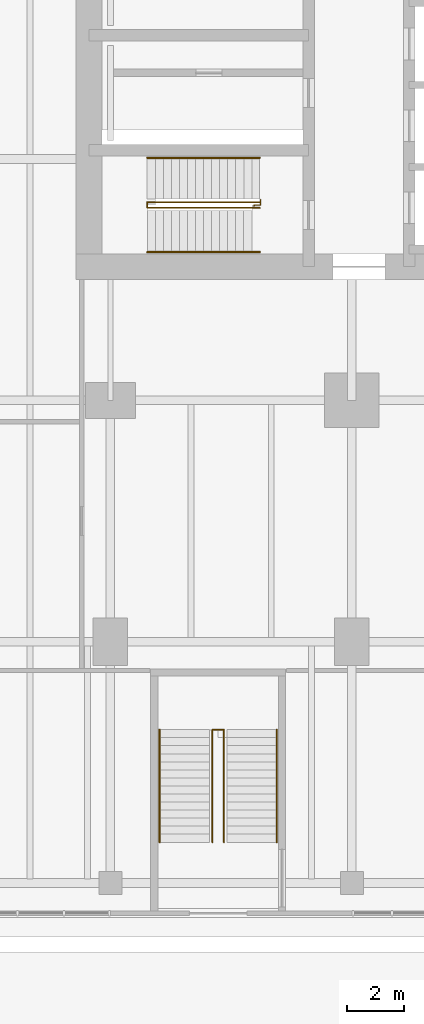
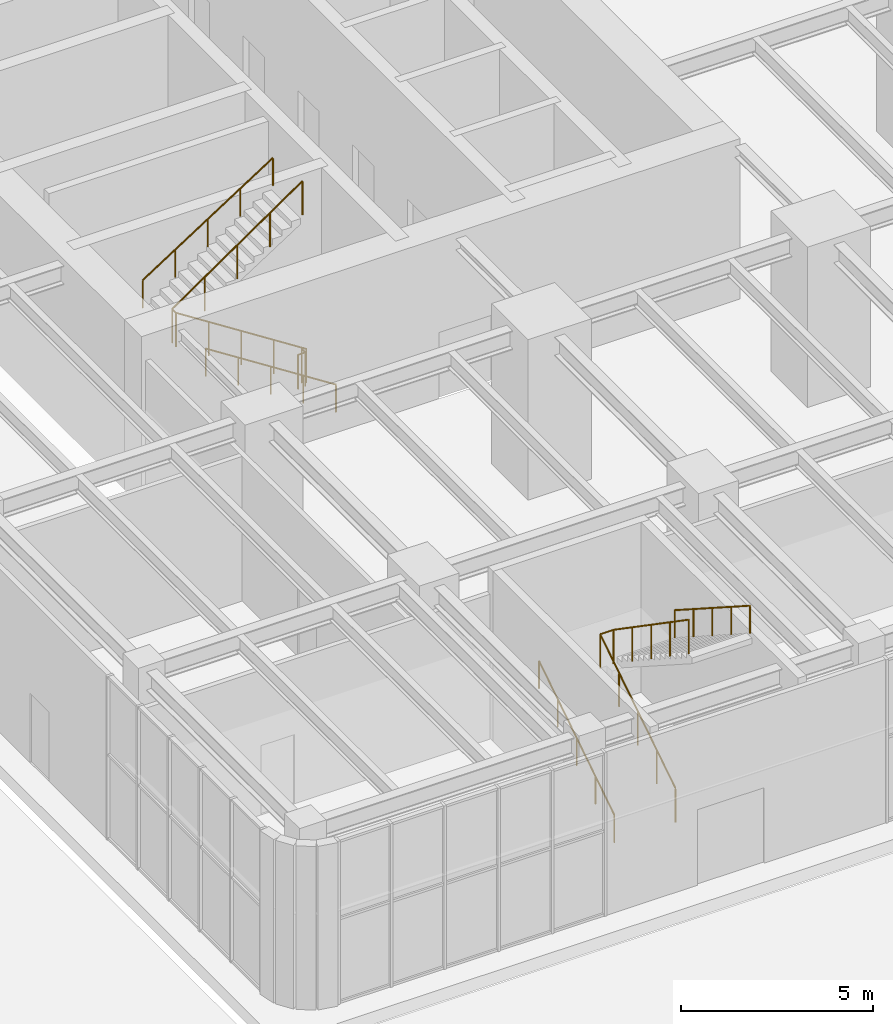
# One storey, part 24 of 31: 7 railings.
"""IFC4 building model written with IfcOpenShell, lengths in metres."""

from ifc_helpers import new_model, si_unit, direction, frame, origin, origin_2d, place, context, subcontext, project, spatial, circle, extrude, material, type_object, element, save


model = new_model("IFC4")

# Units and contexts
model_context = context("Model", 3, precision=1e-05, world=origin(), true_north=direction((0.0, 1.0)))
body_context = subcontext(model_context, "Body", "Model", "MODEL_VIEW")
ifc_project = project(units=[si_unit("LENGTHUNIT", "METRE"), si_unit("AREAUNIT", "SQUARE_METRE"), si_unit("VOLUMEUNIT", "CUBIC_METRE"), si_unit("PLANEANGLEUNIT", "RADIAN"), si_unit("MASSUNIT", "GRAM", prefix="KILO")], contexts=[model_context])

# Site, building, storey
site_placement = place(None, origin())
site = spatial("IfcSite", under=ifc_project, at=site_placement, CompositionType="ELEMENT")
building_placement = place(site_placement, origin())
building = spatial("IfcBuilding", under=site, at=building_placement, Name="Claustro Exchange Tower", CompositionType="ELEMENT")
storey_placement = place(building_placement, origin())
storey = spatial("IfcBuildingStorey", under=building, at=storey_placement, Name="L00", CompositionType="ELEMENT", Elevation=0.0)

# Railings
ifc_material_1 = material(Name="Steel balustrade, painted", Category="steel")
railing_type_1 = type_object("IfcRailingType", Name="GR2 1100 steel stair guard", PredefinedType="GUARDRAIL", material=ifc_material_1)
railing_1_placement = place(storey_placement, frame((5.199951171875, 15.10009765625, 0.179931640625)))
element("IfcRailing", 1, at=railing_1_placement, inside=storey, type_object=railing_type_1, Name="Stair well guard GR2 stair STWA L00", PredefinedType="GUARDRAIL", context=body_context, shape_type="SweptSolid", body=[
    extrude(circle(Radius=0.02392578125, at=origin_2d()), frame((0.0, 0.0, 1.076171875), z_axis=(-0.841171666519, 0.0, 0.540768182723), x_axis=(0.0, -1.0, 0.0)), (0.0, 0.0, 1.0), 4.66015625),
    extrude(circle(Radius=0.02392578125, at=origin_2d()), frame((-3.919921875, 0.0, 3.59619140625), z_axis=(0.0, 1.0, 0.0), x_axis=(-1.0, 0.0, 0.0)), (0.0, 0.0, 1.0), 0.199951171875),
    extrude(circle(Radius=0.02392578125, at=origin_2d()), frame((-3.919921875, 0.199951171875, 3.59619140625), z_axis=(0.823550731654, 0.0, 0.567242622158), x_axis=(0.0, 1.0, 0.0)), (0.0, 0.0, 1.0), 4.759765625),
    extrude(circle(Radius=0.02099609375, at=origin_2d()), origin(), (0.0, 0.0, 1.0), 1.052001953125),
    extrude(circle(Radius=0.02099609375, at=origin_2d()), frame((-0.97998046875, 0.0, 0.6298828125)), (0.0, 0.0, 1.0), 1.052001953125),
    extrude(circle(Radius=0.02099609375, at=origin_2d()), frame((-1.9599609375, 0.0, 1.260009765625)), (0.0, 0.0, 1.0), 1.052001953125),
    extrude(circle(Radius=0.02099609375, at=origin_2d()), frame((-2.93994140625, 0.0, 1.89013671875)), (0.0, 0.0, 1.0), 1.052001953125),
    extrude(circle(Radius=0.02099609375, at=origin_2d()), frame((-3.919921875, 0.0, 2.52001953125)), (0.0, 0.0, 1.0), 1.052001953125),
    extrude(circle(Radius=0.02099609375, at=origin_2d()), frame((-3.919921875, 0.199951171875, 2.52001953125)), (0.0, 0.0, 1.0), 1.052001953125),
    extrude(circle(Radius=0.02099609375, at=origin_2d()), frame((-2.93994140625, 0.199951171875, 3.195068359375)), (0.0, 0.0, 1.0), 1.052001953125),
    extrude(circle(Radius=0.02099609375, at=origin_2d()), frame((-1.9599609375, 0.199951171875, 3.8701171875)), (0.0, 0.0, 1.0), 1.052001953125),
    extrude(circle(Radius=0.02099609375, at=origin_2d()), frame((-0.97998046875, 0.199951171875, 4.544921875)), (0.0, 0.0, 1.0), 1.052001953125),
    extrude(circle(Radius=0.02099609375, at=origin_2d()), frame((0.0, 0.199951171875, 5.219970703125)), (0.0, 0.0, 1.0), 1.052001953125),
])
railing_2_placement = place(storey_placement, frame((5.0, 15.169921875, 0.0)))
element("IfcRailing", 2, at=railing_2_placement, inside=storey, type_object=railing_type_1, Name="Stair guard GR2 STWA L00", PredefinedType="GUARDRAIL", context=body_context, shape_type="SweptSolid", body=[
    extrude(circle(Radius=0.02392578125, at=origin_2d()), frame((0.0, 0.0, 1.076171875), z_axis=(0.0, 1.0, 0.0), x_axis=(-1.0, 0.0, 0.0)), (0.0, 0.0, 1.0), 0.030029296875),
    extrude(circle(Radius=0.02392578125, at=origin_2d()), frame((0.0, 0.030029296875, 1.076171875), z_axis=(1.0, 0.0, 0.0), x_axis=(0.0, 1.0, 0.0)), (0.0, 0.0, 1.0), 0.22509765625),
    extrude(circle(Radius=0.02392578125, at=origin_2d()), frame((0.22509765625, 0.030029296875, 1.076171875), z_axis=(0.0, 1.0, 0.0), x_axis=(-1.0, 0.0, 0.0)), (0.0, 0.0, 1.0), 0.179931640625),
    extrude(circle(Radius=0.02099609375, at=origin_2d()), origin(), (0.0, 0.0, 1.0), 1.052001953125),
    extrude(circle(Radius=0.02099609375, at=origin_2d()), frame((0.0, 0.030029296875, 0.0)), (0.0, 0.0, 1.0), 1.052001953125),
    extrude(circle(Radius=0.02099609375, at=origin_2d()), frame((0.22509765625, 0.030029296875, 0.0)), (0.0, 0.0, 1.0), 1.052001953125),
    extrude(circle(Radius=0.02099609375, at=origin_2d()), frame((0.22509765625, 0.2099609375, 0.0)), (0.0, 0.0, 1.0), 1.052001953125),
])
railing_3_placement = place(storey_placement, frame((3.550048828125, -6.97998046875, 0.179931640625)))
element("IfcRailing", 3, at=railing_3_placement, inside=storey, type_object=railing_type_1, Name="Stair well guard GR2 stair STP1 L00", PredefinedType="GUARDRAIL", context=body_context, shape_type="SweptSolid", body=[
    extrude(circle(Radius=0.02392578125, at=origin_2d()), frame((0.0, 0.0, 1.076171875), z_axis=(0.0, 0.841171666519, 0.540768182723), x_axis=(-1.0, 0.0, 0.0)), (0.0, 0.0, 1.0), 4.66015625),
    extrude(circle(Radius=0.02392578125, at=origin_2d()), frame((0.0, 3.919921875, 3.59619140625), z_axis=(1.0, 0.0, 0.0), x_axis=(0.0, 1.0, 0.0)), (0.0, 0.0, 1.0), 0.39990234375),
    extrude(circle(Radius=0.02392578125, at=origin_2d()), frame((0.39990234375, 3.919921875, 3.59619140625), z_axis=(0.0, -0.823550731654, 0.567242622158), x_axis=(1.0, 0.0, 0.0)), (0.0, 0.0, 1.0), 4.759765625),
    extrude(circle(Radius=0.02099609375, at=origin_2d()), origin(), (0.0, 0.0, 1.0), 1.052001953125),
    extrude(circle(Radius=0.02099609375, at=origin_2d()), frame((0.0, 0.97998046875, 0.6298828125)), (0.0, 0.0, 1.0), 1.052001953125),
    extrude(circle(Radius=0.02099609375, at=origin_2d()), frame((0.0, 1.9599609375, 1.260009765625)), (0.0, 0.0, 1.0), 1.052001953125),
    extrude(circle(Radius=0.02099609375, at=origin_2d()), frame((0.0, 2.93994140625, 1.89013671875)), (0.0, 0.0, 1.0), 1.052001953125),
    extrude(circle(Radius=0.02099609375, at=origin_2d()), frame((0.0, 3.919921875, 2.52001953125)), (0.0, 0.0, 1.0), 1.052001953125),
    extrude(circle(Radius=0.02099609375, at=origin_2d()), frame((0.39990234375, 3.919921875, 2.52001953125)), (0.0, 0.0, 1.0), 1.052001953125),
    extrude(circle(Radius=0.02099609375, at=origin_2d()), frame((0.39990234375, 2.93994140625, 3.195068359375)), (0.0, 0.0, 1.0), 1.052001953125),
    extrude(circle(Radius=0.02099609375, at=origin_2d()), frame((0.39990234375, 1.9599609375, 3.8701171875)), (0.0, 0.0, 1.0), 1.052001953125),
    extrude(circle(Radius=0.02099609375, at=origin_2d()), frame((0.39990234375, 0.97998046875, 4.544921875)), (0.0, 0.0, 1.0), 1.052001953125),
    extrude(circle(Radius=0.02099609375, at=origin_2d()), frame((0.39990234375, 0.0, 5.219970703125)), (0.0, 0.0, 1.0), 1.052001953125),
])
ifc_material_2 = material(Name="Stainless steel tube", Category="steel")
railing_type_2 = type_object("IfcRailingType", Name="HR1 900 stair handrail", PredefinedType="HANDRAIL", material=ifc_material_2)
railing_4_placement = place(storey_placement, frame((5.199951171875, 13.56005859375, 0.179931640625)))
element("IfcRailing", 4, at=railing_4_placement, inside=storey, type_object=railing_type_2, Name="Handrail HR1 stair STWA L00", PredefinedType="HANDRAIL", context=body_context, shape_type="SweptSolid", body=[
    extrude(circle(Radius=0.02392578125, at=origin_2d()), frame((0.0, 0.0, 0.8759765625), z_axis=(-0.841171666519, 0.0, 0.540768182723), x_axis=(0.0, -1.0, 0.0)), (0.0, 0.0, 1.0), 4.66015625),
    extrude(circle(Radius=0.02099609375, at=origin_2d()), origin(), (0.0, 0.0, 1.0), 0.851806640625),
    extrude(circle(Radius=0.02099609375, at=origin_2d()), frame((-0.97998046875, 0.0, 0.6298828125)), (0.0, 0.0, 1.0), 0.851806640625),
    extrude(circle(Radius=0.02099609375, at=origin_2d()), frame((-1.9599609375, 0.0, 1.260009765625)), (0.0, 0.0, 1.0), 0.851806640625),
    extrude(circle(Radius=0.02099609375, at=origin_2d()), frame((-2.93994140625, 0.0, 1.89013671875)), (0.0, 0.0, 1.0), 0.851806640625),
    extrude(circle(Radius=0.02099609375, at=origin_2d()), frame((-3.919921875, 0.0, 2.52001953125)), (0.0, 0.0, 1.0), 0.851806640625),
])
railing_5_placement = place(storey_placement, frame((1.280029296875, 16.840087890625, 2.8798828125)))
element("IfcRailing", 5, at=railing_5_placement, inside=storey, type_object=railing_type_2, Name="Handrail HR1 stair STWA L00", PredefinedType="HANDRAIL", context=body_context, shape_type="SweptSolid", body=[
    extrude(circle(Radius=0.02392578125, at=origin_2d()), frame((0.0, 0.0, 0.8759765625), z_axis=(0.841171666519, 0.0, 0.540768182723), x_axis=(0.0, 1.0, 0.0)), (0.0, 0.0, 1.0), 4.66015625),
    extrude(circle(Radius=0.02099609375, at=origin_2d()), origin(), (0.0, 0.0, 1.0), 0.851806640625),
    extrude(circle(Radius=0.02099609375, at=origin_2d()), frame((0.97998046875, 0.0, 0.6298828125)), (0.0, 0.0, 1.0), 0.851806640625),
    extrude(circle(Radius=0.02099609375, at=origin_2d()), frame((1.9599609375, 0.0, 1.260009765625)), (0.0, 0.0, 1.0), 0.851806640625),
    extrude(circle(Radius=0.02099609375, at=origin_2d()), frame((2.93994140625, 0.0, 1.89013671875)), (0.0, 0.0, 1.0), 0.851806640625),
    extrude(circle(Radius=0.02099609375, at=origin_2d()), frame((3.919921875, 0.0, 2.52001953125)), (0.0, 0.0, 1.0), 0.851806640625),
])
railing_6_placement = place(storey_placement, frame((1.7099609375, -6.97998046875, 0.179931640625)))
element("IfcRailing", 6, at=railing_6_placement, inside=storey, type_object=railing_type_2, Name="Handrail HR1 stair STP1 L00", PredefinedType="HANDRAIL", context=body_context, shape_type="SweptSolid", body=[
    extrude(circle(Radius=0.02392578125, at=origin_2d()), frame((0.0, 0.0, 0.8759765625), z_axis=(0.0, 0.841171666519, 0.540768182723), x_axis=(-1.0, 0.0, 0.0)), (0.0, 0.0, 1.0), 4.66015625),
    extrude(circle(Radius=0.02099609375, at=origin_2d()), origin(), (0.0, 0.0, 1.0), 0.851806640625),
    extrude(circle(Radius=0.02099609375, at=origin_2d()), frame((0.0, 0.97998046875, 0.6298828125)), (0.0, 0.0, 1.0), 0.851806640625),
    extrude(circle(Radius=0.02099609375, at=origin_2d()), frame((0.0, 1.9599609375, 1.260009765625)), (0.0, 0.0, 1.0), 0.851806640625),
    extrude(circle(Radius=0.02099609375, at=origin_2d()), frame((0.0, 2.93994140625, 1.89013671875)), (0.0, 0.0, 1.0), 0.851806640625),
    extrude(circle(Radius=0.02099609375, at=origin_2d()), frame((0.0, 3.919921875, 2.52001953125)), (0.0, 0.0, 1.0), 0.851806640625),
])
railing_7_placement = place(storey_placement, frame((5.7900390625, -3.06005859375, 2.8798828125)))
element("IfcRailing", 7, at=railing_7_placement, inside=storey, type_object=railing_type_2, Name="Handrail HR1 stair STP1 L00", PredefinedType="HANDRAIL", context=body_context, shape_type="SweptSolid", body=[
    extrude(circle(Radius=0.02392578125, at=origin_2d()), frame((0.0, 0.0, 0.8759765625), z_axis=(0.0, -0.841171666519, 0.540768182723), x_axis=(1.0, 0.0, 0.0)), (0.0, 0.0, 1.0), 4.66015625),
    extrude(circle(Radius=0.02099609375, at=origin_2d()), origin(), (0.0, 0.0, 1.0), 0.851806640625),
    extrude(circle(Radius=0.02099609375, at=origin_2d()), frame((0.0, -0.97998046875, 0.6298828125)), (0.0, 0.0, 1.0), 0.851806640625),
    extrude(circle(Radius=0.02099609375, at=origin_2d()), frame((0.0, -1.9599609375, 1.260009765625)), (0.0, 0.0, 1.0), 0.851806640625),
    extrude(circle(Radius=0.02099609375, at=origin_2d()), frame((0.0, -2.93994140625, 1.89013671875)), (0.0, 0.0, 1.0), 0.851806640625),
    extrude(circle(Radius=0.02099609375, at=origin_2d()), frame((0.0, -3.919921875, 2.52001953125)), (0.0, 0.0, 1.0), 0.851806640625),
])

save(model, "model.ifc")
